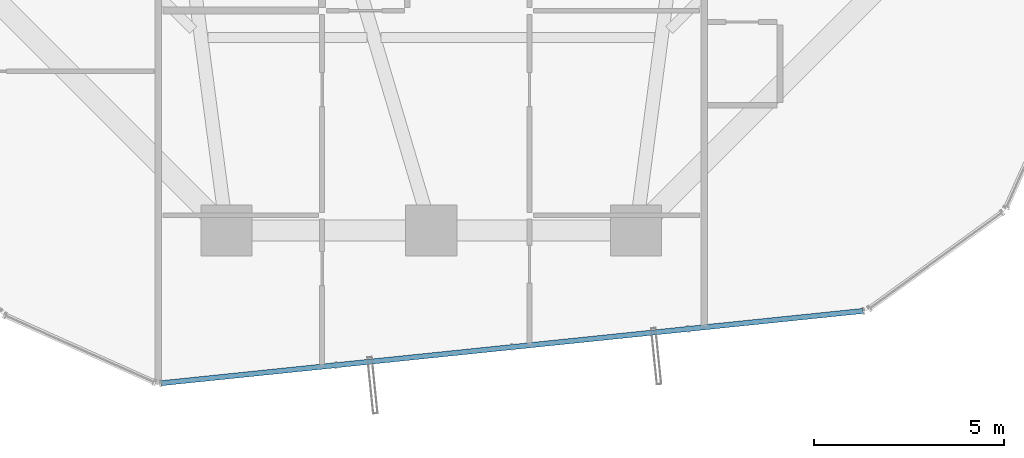
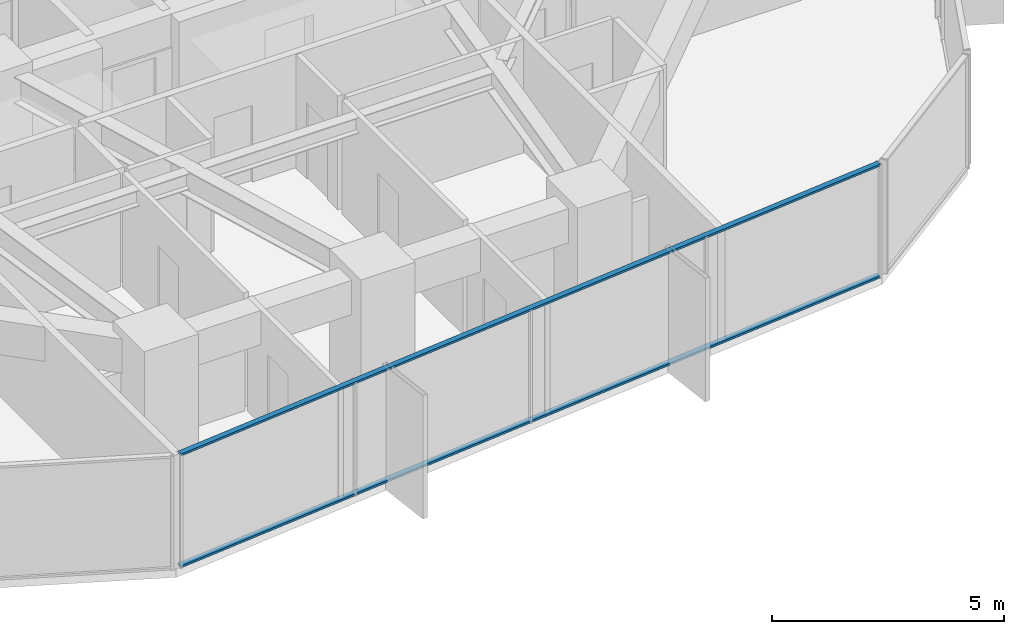
# One storey, part 7 of 37: 2 members, 1 element without a shape of its own.
"""IFC4 building model written with IfcOpenShell, lengths in metres."""

from ifc_helpers import new_model, si_unit, direction, frame, origin, origin_2d, place, context, subcontext, project, spatial, hollow_rectangle, extrude, source, transform, mapped, material, layer, layer_set, material_profile, profile_set, type_object, element, aggregate, save


model = new_model("IFC4")

# Units and contexts
model_context = context("Model", 3, precision=1e-05, world=origin(), true_north=direction((0.0, 1.0)))
body_context = subcontext(model_context, "Body", "Model", "MODEL_VIEW")
ifc_project = project(units=[si_unit("LENGTHUNIT", "METRE"), si_unit("AREAUNIT", "SQUARE_METRE"), si_unit("VOLUMEUNIT", "CUBIC_METRE"), si_unit("PLANEANGLEUNIT", "RADIAN"), si_unit("MASSUNIT", "GRAM", prefix="KILO")], contexts=[model_context])

# Site, building, storey
site_placement = place(None, origin())
site = spatial("IfcSite", under=ifc_project, at=site_placement, CompositionType="ELEMENT")
building_placement = place(site_placement, origin())
building = spatial("IfcBuilding", under=site, at=building_placement, Name="Veraguas Prism Commons", CompositionType="ELEMENT")
storey_placement = place(building_placement, frame((0.0, 0.0, 43.550048828125)))
storey = spatial("IfcBuildingStorey", under=building, at=storey_placement, Name="L11", CompositionType="ELEMENT", Elevation=43.550048828125)

# Curtain wall, members
ifc_material = material(Name="Anodised aluminium EN AW-6063 T6", Category="aluminium")
ifc_layer = layer(ifc_material, 0.169921875, Name="Unitised Flush Curtain Wall Zone 1", Category="aluminium")
ifc_layer_set = layer_set([ifc_layer], Name="Anodised aluminium EN AW-6063 T6")
curtain_wall_type = type_object("IfcCurtainWallType", Name="Unitised Flush Curtain Wall Zone 1", PredefinedType="NOTDEFINED", material=ifc_layer_set)
curtain_wall_placement = place(storey_placement, origin())
curtain_wall = element("IfcCurtainWall", 1, at=curtain_wall_placement, inside=storey, type_object=curtain_wall_type, Name="Tower Facade Curtain Wall L11-F5", PredefinedType="NOTDEFINED")
ifc_material_profile = material_profile(ifc_material, hollow_rectangle(XDim=0.054931640625, YDim=0.135009765625, WallThickness=0.0029296875, at=origin_2d()), Name="AL55X135X3")
ifc_profile_set = profile_set([ifc_material_profile], Name="Anodised aluminium EN AW-6063 T6")
member_type = type_object("IfcMemberType", Name="Curtain Wall Transom Standard AL 55x135x3", PredefinedType="USERDEFINED", material=ifc_profile_set)
shared_shape = source(origin(), body_context, "Body", "SweptSolid", [
    extrude(hollow_rectangle(XDim=0.054931640625, YDim=0.135009765625, WallThickness=0.0029296875, at=origin_2d()), origin(), (0.0, 0.0, 1.0), 18.62353515625),
])
member_1_placement = place(storey_placement, frame((16.866455078125, 2.370849609375, 0.02734375), z_axis=(0.994738329525, 0.102448307814, 0.0), x_axis=(0.0, 0.0, 1.0)))
member_1 = element("IfcMember", 2, at=member_1_placement, type_object=member_type, Name="CW-Z1 Transom 1", ObjectType="TRANSOM", PredefinedType="USERDEFINED", context=body_context, shape_type="MappedRepresentation", body=[
    mapped(shared_shape, transform((0.0, 0.0, 0.0), scale=1.0)),
])
member_2_placement = place(storey_placement, frame((16.866455078125, 2.370849609375, 2.972412109375), z_axis=(0.994738329525, 0.102448307814, 0.0), x_axis=(0.0, 0.0, 1.0)))
member_2 = element("IfcMember", 3, at=member_2_placement, type_object=member_type, Name="CW-Z1 Transom 2", ObjectType="TRANSOM", PredefinedType="USERDEFINED", context=body_context, shape_type="MappedRepresentation", body=[
    mapped(shared_shape, transform((0.0, 0.0, 0.0), scale=1.0)),
])
aggregate(curtain_wall, [member_1, member_2])

save(model, "model.ifc")
